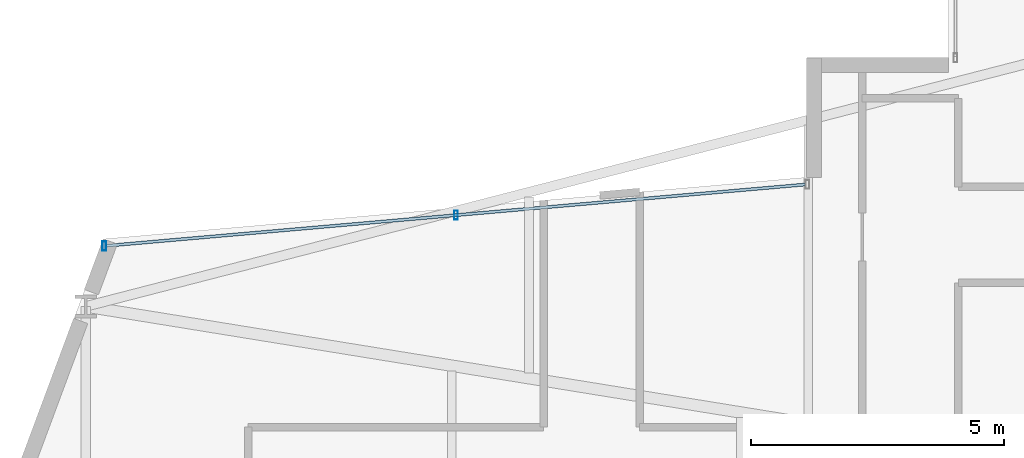
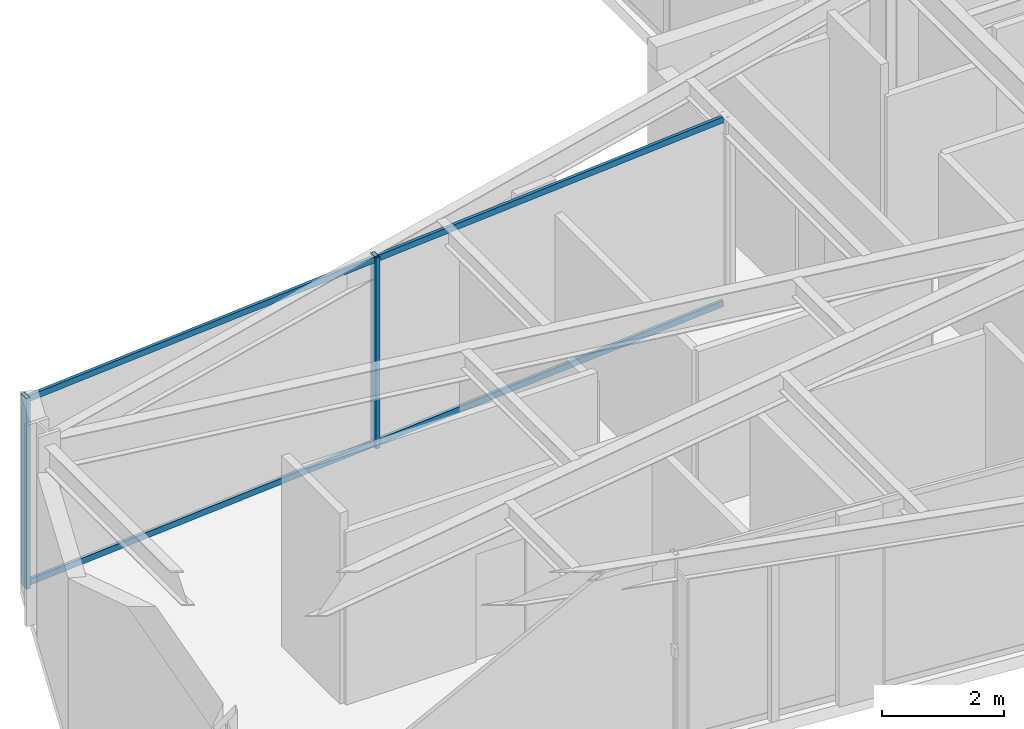
# One storey, part 8 of 25: 4 members, 1 element without a shape of its own.
"""IFC4 building model written with IfcOpenShell, lengths in metres."""

from ifc_helpers import new_model, si_unit, direction, frame, origin, origin_2d, place, context, subcontext, project, spatial, hollow_rectangle, extrude, material, layer, layer_set, material_profile, profile_set, type_object, element, aggregate, save


model = new_model("IFC4")

# Units and contexts
model_context = context("Model", 3, precision=1e-05, world=origin(), true_north=direction((0.0, 1.0)))
body_context = subcontext(model_context, "Body", "Model", "MODEL_VIEW")
ifc_project = project(units=[si_unit("LENGTHUNIT", "METRE"), si_unit("AREAUNIT", "SQUARE_METRE"), si_unit("VOLUMEUNIT", "CUBIC_METRE"), si_unit("PLANEANGLEUNIT", "RADIAN"), si_unit("MASSUNIT", "GRAM", prefix="KILO")], contexts=[model_context])

# Site, building, storey
site_placement = place(None, origin())
site = spatial("IfcSite", under=ifc_project, at=site_placement, CompositionType="ELEMENT")
building_placement = place(site_placement, origin())
building = spatial("IfcBuilding", under=site, at=building_placement, Name="Veymaron Broadcast Tower", CompositionType="ELEMENT")
storey_placement = place(building_placement, frame((0.0, 0.0, 169.5)))
storey = spatial("IfcBuildingStorey", under=building, at=storey_placement, Name="L39", CompositionType="ELEMENT", Elevation=169.5)

# Curtain wall, members
ifc_material_1 = material(Name="Anodised aluminium AA 6063-T6 and laminated low-E dark glass", Category="aluminium")
ifc_layer = layer(ifc_material_1, 0.179931640625)
ifc_layer_set = layer_set([ifc_layer], Name="Anodised aluminium AA 6063-T6 and laminated low-E dark glass")
curtain_wall_type = type_object("IfcCurtainWallType", Name="CW-SYS-03", PredefinedType="NOTDEFINED", material=ifc_layer_set)
curtain_wall_placement = place(storey_placement, origin())
curtain_wall = element("IfcCurtainWall", 1, at=curtain_wall_placement, inside=storey, type_object=curtain_wall_type, Name="L39 dark-glass curtain wall CW-L39-E11-1", PredefinedType="NOTDEFINED")
ifc_material_2 = material(Name="Anodised aluminium AA 6063-T6", Category="aluminium")
ifc_material_profile_1 = material_profile(ifc_material_2, hollow_rectangle(XDim=0.074951171875, YDim=0.179931640625, WallThickness=0.0048828125, at=origin_2d()), Name="AL180X75X5")
ifc_profile_set_1 = profile_set([ifc_material_profile_1], Name="Anodised aluminium AA 6063-T6")
member_type_1 = type_object("IfcMemberType", Name="CW-MUL-02", PredefinedType="MULLION", material=ifc_profile_set_1)
member_1_placement = place(storey_placement, frame((19.46630859375, 28.889404296875, 0.0), z_axis=(0.0, 0.0, 1.0), x_axis=(1.0, 0.0, 0.0)))
member_1 = element("IfcMember", 2, at=member_1_placement, type_object=member_type_1, Name="CW-L39-E11-1 mullion 1", PredefinedType="MULLION", context=body_context, shape_type="SweptSolid", body=[
    extrude(hollow_rectangle(XDim=0.074951171875, YDim=0.179931640625, WallThickness=0.0048828125, at=origin_2d()), origin(), (0.0, 0.0, 1.0), 3.81005859375),
])
member_2_placement = place(storey_placement, frame((12.51220703125, 28.279541015625, 0.0), z_axis=(0.0, 0.0, 1.0), x_axis=(1.0, 0.0, 0.0)))
member_2 = element("IfcMember", 3, at=member_2_placement, type_object=member_type_1, Name="CW-L39-E11-1 mullion 2", PredefinedType="MULLION", context=body_context, shape_type="SweptSolid", body=[
    extrude(hollow_rectangle(XDim=0.074951171875, YDim=0.179931640625, WallThickness=0.0048828125, at=origin_2d()), origin(), (0.0, 0.0, 1.0), 3.81005859375),
])
ifc_material_profile_2 = material_profile(ifc_material_2, hollow_rectangle(XDim=0.06005859375, YDim=0.1201171875, WallThickness=0.00390625, at=origin_2d()), Name="AL120X60X4")
ifc_profile_set_2 = profile_set([ifc_material_profile_2], Name="Anodised aluminium AA 6063-T6")
member_type_2 = type_object("IfcMemberType", Name="CW-TRN-02", PredefinedType="USERDEFINED", material=ifc_profile_set_2)
member_3_placement = place(storey_placement, frame((26.370361328125, 29.4951171875, 0.070068359375), z_axis=(-0.996175208104, -0.087378228176, 0.0), x_axis=(0.087378228176, -0.996175208104, 0.0)))
member_3 = element("IfcMember", 4, at=member_3_placement, type_object=member_type_2, Name="CW-L39-E11-1 transom B", ObjectType="TRANSOM", PredefinedType="USERDEFINED", context=body_context, shape_type="SweptSolid", body=[
    extrude(hollow_rectangle(XDim=0.06005859375, YDim=0.1201171875, WallThickness=0.00390625, at=origin_2d()), origin(), (0.0, 0.0, 1.0), 13.861328125),
])
member_4_placement = place(storey_placement, frame((26.370361328125, 29.4951171875, 3.739990234375), z_axis=(-0.996175208104, -0.087378228176, 0.0), x_axis=(0.087378228176, -0.996175208104, 0.0)))
member_4 = element("IfcMember", 5, at=member_4_placement, type_object=member_type_2, Name="CW-L39-E11-1 transom T", ObjectType="TRANSOM", PredefinedType="USERDEFINED", context=body_context, shape_type="SweptSolid", body=[
    extrude(hollow_rectangle(XDim=0.06005859375, YDim=0.1201171875, WallThickness=0.00390625, at=origin_2d()), origin(), (0.0, 0.0, 1.0), 13.861328125),
])
aggregate(curtain_wall, [member_1, member_2, member_3, member_4])

save(model, "model.ifc")
